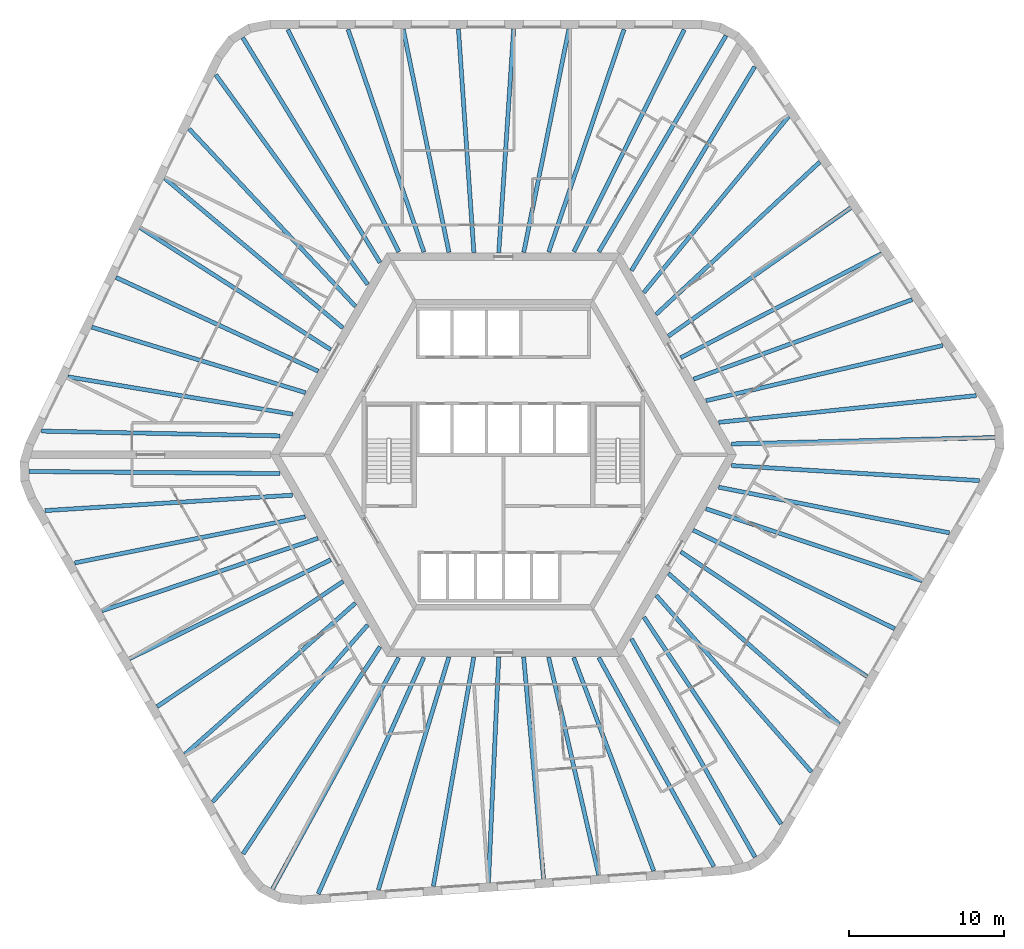
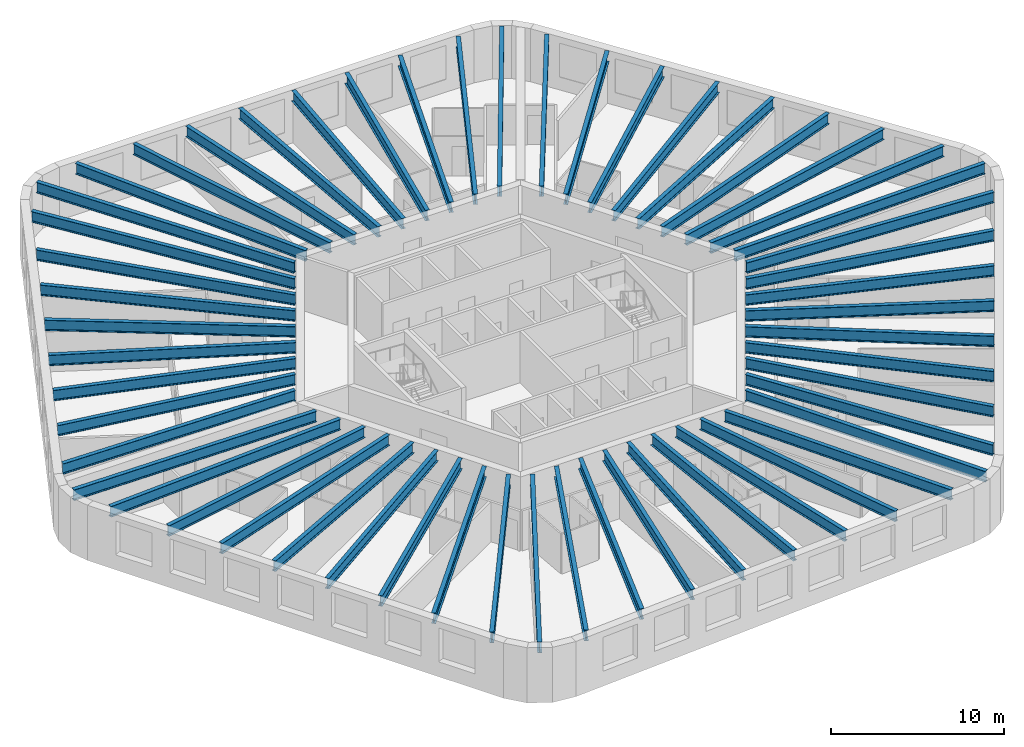
# One storey, part 1 of 10: 54 beams.
"""IFC4 building model written with IfcOpenShell, lengths in metres."""

from ifc_helpers import new_model, si_unit, direction, frame, origin, origin_2d, place, context, subcontext, project, spatial, i_section, extrude, material, material_profile, profile_set, type_object, element, save


model = new_model("IFC4")

# Units and contexts
model_context = context("Model", 3, precision=1e-05, world=origin(), true_north=direction((0.0, 1.0)))
body_context = subcontext(model_context, "Body", "Model", "MODEL_VIEW")
ifc_project = project(units=[si_unit("LENGTHUNIT", "METRE"), si_unit("AREAUNIT", "SQUARE_METRE"), si_unit("VOLUMEUNIT", "CUBIC_METRE"), si_unit("PLANEANGLEUNIT", "RADIAN"), si_unit("MASSUNIT", "GRAM", prefix="KILO")], contexts=[model_context])

# Site, building, storey
site_placement = place(None, origin())
site = spatial("IfcSite", under=ifc_project, at=site_placement, CompositionType="ELEMENT")
building_placement = place(site_placement, origin())
building = spatial("IfcBuilding", under=site, at=building_placement, Name="Tarnside Tower", CompositionType="ELEMENT")
storey_placement = place(building_placement, frame((0.0, 0.0, 156.60009765625)))
storey = spatial("IfcBuildingStorey", under=building, at=storey_placement, Name="L36", CompositionType="ELEMENT", Elevation=156.60009765625)

# Beams
ifc_material = material(Name="Steel S355", Category="steel")
ifc_material_profile_1 = material_profile(ifc_material, i_section(OverallWidth=0.26513671875, OverallDepth=0.75390625, WebThickness=0.0126953125, FlangeThickness=0.017578125, FilletRadius=0.0166015625, at=origin_2d()), Name="UB 762x267x147")
ifc_profile_set_1 = profile_set([ifc_material_profile_1], Name="Steel S355")
beam_type_1 = type_object("IfcBeamType", Name="Floor beam UB 762x267x147", PredefinedType="BEAM", material=ifc_profile_set_1)
beam_1_placement = place(storey_placement, frame((7.77001953125, 27.393310546875, 3.372802734375), z_axis=(-0.320362579778, -0.947295000239, 0.0), x_axis=(0.947295000239, -0.320362579778, 0.0)))
element("IfcBeam", 1, at=beam_1_placement, inside=storey, type_object=beam_type_1, Name="Floor beam F1.02", PredefinedType="BEAM", context=body_context, shape_type="SweptSolid", body=[
    extrude(i_section(OverallWidth=0.26513671875, OverallDepth=0.75390625, WebThickness=0.0126953125, FlangeThickness=0.017578125, FilletRadius=0.0166015625, at=origin_2d()), origin(), (0.0, 0.0, 1.0), 15.134033203125),
])
beam_2_placement = place(storey_placement, frame((4.218505859375, 27.410888671875, 3.372802734375), z_axis=(-0.19841777413, -0.980117537293, 0.0), x_axis=(0.980117537293, -0.19841777413, 0.0)))
element("IfcBeam", 2, at=beam_2_placement, inside=storey, type_object=beam_type_1, Name="Floor beam F1.03", PredefinedType="BEAM", context=body_context, shape_type="SweptSolid", body=[
    extrude(i_section(OverallWidth=0.26513671875, OverallDepth=0.75390625, WebThickness=0.0126953125, FlangeThickness=0.017578125, FilletRadius=0.0166015625, at=origin_2d()), origin(), (0.0, 0.0, 1.0), 14.6630859375),
])
beam_3_placement = place(storey_placement, frame((0.66259765625, 27.429931640625, 3.372802734375), z_axis=(-0.066554914868, -0.997782763585, 0.0), x_axis=(0.997782763585, -0.066554914868, 0.0)))
element("IfcBeam", 3, at=beam_3_placement, inside=storey, type_object=beam_type_1, Name="Floor beam F1.04", PredefinedType="BEAM", context=body_context, shape_type="SweptSolid", body=[
    extrude(i_section(OverallWidth=0.26513671875, OverallDepth=0.75390625, WebThickness=0.0126953125, FlangeThickness=0.017578125, FilletRadius=0.0166015625, at=origin_2d()), origin(), (0.0, 0.0, 1.0), 14.44189453125),
])
beam_4_placement = place(storey_placement, frame((-2.8974609375, 27.429931640625, 3.372802734375), z_axis=(0.068876921658, -0.997625164911, 0.0), x_axis=(0.997625164911, 0.068876921658, 0.0)))
element("IfcBeam", 4, at=beam_4_placement, inside=storey, type_object=beam_type_1, Name="Floor beam F1.05", PredefinedType="BEAM", context=body_context, shape_type="SweptSolid", body=[
    extrude(i_section(OverallWidth=0.26513671875, OverallDepth=0.75390625, WebThickness=0.0126953125, FlangeThickness=0.017578125, FilletRadius=0.0166015625, at=origin_2d()), origin(), (0.0, 0.0, 1.0), 14.4443359375),
])
beam_5_placement = place(storey_placement, frame((-6.45361328125, 27.410888671875, 3.372802734375), z_axis=(0.200623497398, -0.979668419564, 0.0), x_axis=(0.979668419564, 0.200623497398, 0.0)))
element("IfcBeam", 5, at=beam_5_placement, inside=storey, type_object=beam_type_1, Name="Floor beam F1.06", PredefinedType="BEAM", context=body_context, shape_type="SweptSolid", body=[
    extrude(i_section(OverallWidth=0.26513671875, OverallDepth=0.75390625, WebThickness=0.0126953125, FlangeThickness=0.017578125, FilletRadius=0.0166015625, at=origin_2d()), origin(), (0.0, 0.0, 1.0), 14.669921875),
])
beam_6_placement = place(storey_placement, frame((-10.0048828125, 27.393310546875, 3.372802734375), z_axis=(0.322343712034, -0.946622697442, 0.0), x_axis=(0.946622697442, 0.322343712034, 0.0)))
element("IfcBeam", 6, at=beam_6_placement, inside=storey, type_object=beam_type_1, Name="Floor beam F1.07", PredefinedType="BEAM", context=body_context, shape_type="SweptSolid", body=[
    extrude(i_section(OverallWidth=0.26513671875, OverallDepth=0.75390625, WebThickness=0.0126953125, FlangeThickness=0.017578125, FilletRadius=0.0166015625, at=origin_2d()), origin(), (0.0, 0.0, 1.0), 15.144775390625),
])
beam_7_placement = place(storey_placement, frame((-20.241455078125, 20.9892578125, 3.372802734375), z_axis=(0.683752330283, -0.729714156936, 0.0), x_axis=(0.729714156936, 0.683752330283, 0.0)))
element("IfcBeam", 7, at=beam_7_placement, inside=storey, type_object=beam_type_1, Name="Floor beam F2.02", PredefinedType="BEAM", context=body_context, shape_type="SweptSolid", body=[
    extrude(i_section(OverallWidth=0.26513671875, OverallDepth=0.75390625, WebThickness=0.0126953125, FlangeThickness=0.017578125, FilletRadius=0.0166015625, at=origin_2d()), origin(), (0.0, 0.0, 1.0), 15.6591796875),
])
beam_8_placement = place(storey_placement, frame((-21.81396484375, 17.80419921875, 3.372802734375), z_axis=(0.765948461073, -0.642901979294, 0.0), x_axis=(0.642901979294, 0.765948461073, 0.0)))
element("IfcBeam", 8, at=beam_8_placement, inside=storey, type_object=beam_type_1, Name="Floor beam F2.03", PredefinedType="BEAM", context=body_context, shape_type="SweptSolid", body=[
    extrude(i_section(OverallWidth=0.26513671875, OverallDepth=0.75390625, WebThickness=0.0126953125, FlangeThickness=0.017578125, FilletRadius=0.0166015625, at=origin_2d()), origin(), (0.0, 0.0, 1.0), 14.982177734375),
])
beam_9_placement = place(storey_placement, frame((-23.389892578125, 14.616455078125, 3.372802734375), z_axis=(0.842378275633, -0.538886667808, 0.0), x_axis=(0.538886667808, 0.842378275633, 0.0)))
element("IfcBeam", 9, at=beam_9_placement, inside=storey, type_object=beam_type_1, Name="Floor beam F2.04", PredefinedType="BEAM", context=body_context, shape_type="SweptSolid", body=[
    extrude(i_section(OverallWidth=0.26513671875, OverallDepth=0.75390625, WebThickness=0.0126953125, FlangeThickness=0.017578125, FilletRadius=0.0166015625, at=origin_2d()), origin(), (0.0, 0.0, 1.0), 14.5595703125),
])
beam_10_placement = place(storey_placement, frame((-24.9501953125, 11.416748046875, 3.372802734375), z_axis=(0.907310131748, -0.420462037321, 0.0), x_axis=(0.420462037321, 0.907310131748, 0.0)))
element("IfcBeam", 10, at=beam_10_placement, inside=storey, type_object=beam_type_1, Name="Floor beam F2.05", PredefinedType="BEAM", context=body_context, shape_type="SweptSolid", body=[
    extrude(i_section(OverallWidth=0.26513671875, OverallDepth=0.75390625, WebThickness=0.0126953125, FlangeThickness=0.017578125, FilletRadius=0.0166015625, at=origin_2d()), origin(), (0.0, 0.0, 1.0), 14.353515625),
])
beam_11_placement = place(storey_placement, frame((-26.510986328125, 8.2177734375, 3.372802734375), z_axis=(0.956073348261, -0.293127536654, 0.0), x_axis=(0.293127536654, 0.956073348261, 0.0)))
element("IfcBeam", 11, at=beam_11_placement, inside=storey, type_object=beam_type_1, Name="Floor beam F2.06", PredefinedType="BEAM", context=body_context, shape_type="SweptSolid", body=[
    extrude(i_section(OverallWidth=0.26513671875, OverallDepth=0.75390625, WebThickness=0.0126953125, FlangeThickness=0.017578125, FilletRadius=0.0166015625, at=origin_2d()), origin(), (0.0, 0.0, 1.0), 14.3955078125),
])
beam_12_placement = place(storey_placement, frame((-28.0517578125, 5.015869140625, 3.372802734375), z_axis=(0.986476498304, -0.163902770858, 0.0), x_axis=(0.163902770858, 0.986476498304, 0.0)))
element("IfcBeam", 12, at=beam_12_placement, inside=storey, type_object=beam_type_1, Name="Floor beam F2.07", PredefinedType="BEAM", context=body_context, shape_type="SweptSolid", body=[
    extrude(i_section(OverallWidth=0.26513671875, OverallDepth=0.75390625, WebThickness=0.0126953125, FlangeThickness=0.017578125, FilletRadius=0.0166015625, at=origin_2d()), origin(), (0.0, 0.0, 1.0), 14.680908203125),
])
beam_13_placement = place(storey_placement, frame((-29.73828125, 1.521484375, 3.372802734375), z_axis=(0.999800142641, -0.019991867701, 0.0), x_axis=(0.019991867701, 0.999800142641, 0.0)))
element("IfcBeam", 13, at=beam_13_placement, inside=storey, type_object=beam_type_1, Name="Floor beam F2.08", PredefinedType="BEAM", context=body_context, shape_type="SweptSolid", body=[
    extrude(i_section(OverallWidth=0.26513671875, OverallDepth=0.75390625, WebThickness=0.0126953125, FlangeThickness=0.017578125, FilletRadius=0.0166015625, at=origin_2d()), origin(), (0.0, 0.0, 1.0), 15.3505859375),
])
beam_14_placement = place(storey_placement, frame((-27.608154296875, -6.967529296875, 3.372802734375), z_axis=(0.980564540422, 0.196196794232, 0.0), x_axis=(-0.196196794232, 0.980564540422, 0.0)))
element("IfcBeam", 14, at=beam_14_placement, inside=storey, type_object=beam_type_1, Name="Floor beam F3.02", PredefinedType="BEAM", context=body_context, shape_type="SweptSolid", body=[
    extrude(i_section(OverallWidth=0.26513671875, OverallDepth=0.75390625, WebThickness=0.0126953125, FlangeThickness=0.017578125, FilletRadius=0.0166015625, at=origin_2d()), origin(), (0.0, 0.0, 1.0), 15.134033203125),
])
beam_15_placement = place(storey_placement, frame((-25.84765625, -10.052001953125, 3.372802734375), z_axis=(0.948011835322, 0.31823507049, 0.0), x_axis=(-0.31823507049, 0.948011835322, 0.0)))
element("IfcBeam", 15, at=beam_15_placement, inside=storey, type_object=beam_type_1, Name="Floor beam F3.03", PredefinedType="BEAM", context=body_context, shape_type="SweptSolid", body=[
    extrude(i_section(OverallWidth=0.26513671875, OverallDepth=0.75390625, WebThickness=0.0126953125, FlangeThickness=0.017578125, FilletRadius=0.0166015625, at=origin_2d()), origin(), (0.0, 0.0, 1.0), 14.662841796875),
])
beam_16_placement = place(storey_placement, frame((-24.086181640625, -13.141357421875, 3.372802734375), z_axis=(0.897375974806, 0.441266767206, 0.0), x_axis=(-0.441266767206, 0.897375974806, 0.0)))
element("IfcBeam", 16, at=beam_16_placement, inside=storey, type_object=beam_type_1, Name="Floor beam F3.04", PredefinedType="BEAM", context=body_context, shape_type="SweptSolid", body=[
    extrude(i_section(OverallWidth=0.26513671875, OverallDepth=0.75390625, WebThickness=0.0126953125, FlangeThickness=0.017578125, FilletRadius=0.0166015625, at=origin_2d()), origin(), (0.0, 0.0, 1.0), 14.442138671875),
])
beam_17_placement = place(storey_placement, frame((-22.306396484375, -16.224365234375, 3.372802734375), z_axis=(0.829532486243, 0.558458462437, 0.0), x_axis=(-0.558458462437, 0.829532486243, 0.0)))
element("IfcBeam", 17, at=beam_17_placement, inside=storey, type_object=beam_type_1, Name="Floor beam F3.05", PredefinedType="BEAM", context=body_context, shape_type="SweptSolid", body=[
    extrude(i_section(OverallWidth=0.26513671875, OverallDepth=0.75390625, WebThickness=0.0126953125, FlangeThickness=0.017578125, FilletRadius=0.0166015625, at=origin_2d()), origin(), (0.0, 0.0, 1.0), 14.444580078125),
])
beam_18_placement = place(storey_placement, frame((-20.51171875, -19.294189453125, 3.372802734375), z_axis=(0.74811408094, 0.663570133369, 0.0), x_axis=(-0.663570133369, 0.74811408094, 0.0)))
element("IfcBeam", 18, at=beam_18_placement, inside=storey, type_object=beam_type_1, Name="Floor beam F3.06", PredefinedType="BEAM", context=body_context, shape_type="SweptSolid", body=[
    extrude(i_section(OverallWidth=0.26513671875, OverallDepth=0.75390625, WebThickness=0.0126953125, FlangeThickness=0.017578125, FilletRadius=0.0166015625, at=origin_2d()), origin(), (0.0, 0.0, 1.0), 14.669677734375),
])
beam_19_placement = place(storey_placement, frame((-18.720703125, -22.361083984375, 3.372802734375), z_axis=(0.658621010302, 0.752474826681, 0.0), x_axis=(-0.752474826681, 0.658621010302, 0.0)))
element("IfcBeam", 19, at=beam_19_placement, inside=storey, type_object=beam_type_1, Name="Floor beam F3.07", PredefinedType="BEAM", context=body_context, shape_type="SweptSolid", body=[
    extrude(i_section(OverallWidth=0.26513671875, OverallDepth=0.75390625, WebThickness=0.0126953125, FlangeThickness=0.017578125, FilletRadius=0.0166015625, at=origin_2d()), origin(), (0.0, 0.0, 1.0), 15.144775390625),
])
beam_20_placement = place(storey_placement, frame((-8.056396484375, -28.024169921875, 3.372802734375), z_axis=(0.290070138838, 0.957005388989, 0.0), x_axis=(-0.957005388989, 0.290070138838, 0.0)))
element("IfcBeam", 20, at=beam_20_placement, inside=storey, type_object=beam_type_1, Name="Floor beam F4.02", PredefinedType="BEAM", context=body_context, shape_type="SweptSolid", body=[
    extrude(i_section(OverallWidth=0.26513671875, OverallDepth=0.75390625, WebThickness=0.0126953125, FlangeThickness=0.017578125, FilletRadius=0.0166015625, at=origin_2d()), origin(), (0.0, 0.0, 1.0), 15.6591796875),
])
beam_21_placement = place(storey_placement, frame((-4.511962890625, -27.793701171875, 3.372802734375), z_axis=(0.173788122681, 0.984783066678, 0.0), x_axis=(-0.984783066678, 0.173788122681, 0.0)))
element("IfcBeam", 21, at=beam_21_placement, inside=storey, type_object=beam_type_1, Name="Floor beam F4.03", PredefinedType="BEAM", context=body_context, shape_type="SweptSolid", body=[
    extrude(i_section(OverallWidth=0.26513671875, OverallDepth=0.75390625, WebThickness=0.0126953125, FlangeThickness=0.017578125, FilletRadius=0.0166015625, at=origin_2d()), origin(), (0.0, 0.0, 1.0), 14.982421875),
])
beam_22_placement = place(storey_placement, frame((-0.96337890625, -27.564453125, 3.372802734375), z_axis=(0.045509585226, 0.998963902077, 0.0), x_axis=(-0.998963902077, 0.045509585226, 0.0)))
element("IfcBeam", 22, at=beam_22_placement, inside=storey, type_object=beam_type_1, Name="Floor beam F4.04", PredefinedType="BEAM", context=body_context, shape_type="SweptSolid", body=[
    extrude(i_section(OverallWidth=0.26513671875, OverallDepth=0.75390625, WebThickness=0.0126953125, FlangeThickness=0.017578125, FilletRadius=0.0166015625, at=origin_2d()), origin(), (0.0, 0.0, 1.0), 14.5595703125),
])
beam_23_placement = place(storey_placement, frame((2.587890625, -27.31591796875, 3.372802734375), z_axis=(-0.089518916897, 0.995985122137, 0.0), x_axis=(-0.995985122137, -0.089518916897, 0.0)))
element("IfcBeam", 23, at=beam_23_placement, inside=storey, type_object=beam_type_1, Name="Floor beam F4.05", PredefinedType="BEAM", context=body_context, shape_type="SweptSolid", body=[
    extrude(i_section(OverallWidth=0.26513671875, OverallDepth=0.75390625, WebThickness=0.0126953125, FlangeThickness=0.017578125, FilletRadius=0.0166015625, at=origin_2d()), origin(), (0.0, 0.0, 1.0), 14.353515625),
])
beam_24_placement = place(storey_placement, frame((6.138671875, -27.068115234375, 3.372802734375), z_axis=(-0.224188122435, 0.974545886944, 0.0), x_axis=(-0.974545886944, -0.224188122435, 0.0)))
element("IfcBeam", 24, at=beam_24_placement, inside=storey, type_object=beam_type_1, Name="Floor beam F4.06", PredefinedType="BEAM", context=body_context, shape_type="SweptSolid", body=[
    extrude(i_section(OverallWidth=0.26513671875, OverallDepth=0.75390625, WebThickness=0.0126953125, FlangeThickness=0.017578125, FilletRadius=0.0166015625, at=origin_2d()), origin(), (0.0, 0.0, 1.0), 14.3955078125),
])
beam_25_placement = place(storey_placement, frame((9.681884765625, -26.801513671875, 3.372802734375), z_axis=(-0.351271055087, 0.936273809234, 0.0), x_axis=(-0.936273809234, -0.351271055087, 0.0)))
element("IfcBeam", 25, at=beam_25_placement, inside=storey, type_object=beam_type_1, Name="Floor beam F4.07", PredefinedType="BEAM", context=body_context, shape_type="SweptSolid", body=[
    extrude(i_section(OverallWidth=0.26513671875, OverallDepth=0.75390625, WebThickness=0.0126953125, FlangeThickness=0.017578125, FilletRadius=0.0166015625, at=origin_2d()), origin(), (0.0, 0.0, 1.0), 14.680908203125),
])
beam_26_placement = place(storey_placement, frame((13.551513671875, -26.514892578125, 3.372802734375), z_axis=(-0.482584088089, 0.875849643445, 0.0), x_axis=(-0.875849643445, -0.482584088089, 0.0)))
element("IfcBeam", 26, at=beam_26_placement, inside=storey, type_object=beam_type_1, Name="Floor beam F4.08", PredefinedType="BEAM", context=body_context, shape_type="SweptSolid", body=[
    extrude(i_section(OverallWidth=0.26513671875, OverallDepth=0.75390625, WebThickness=0.0126953125, FlangeThickness=0.017578125, FilletRadius=0.0166015625, at=origin_2d()), origin(), (0.0, 0.0, 1.0), 15.3505859375),
])
beam_27_placement = place(storey_placement, frame((19.838134765625, -20.425537109375, 3.372802734375), z_axis=(-0.660201214512, 0.751088780609, 0.0), x_axis=(-0.751088780609, -0.660201214512, 0.0)))
element("IfcBeam", 27, at=beam_27_placement, inside=storey, type_object=beam_type_1, Name="Floor beam F5.02", PredefinedType="BEAM", context=body_context, shape_type="SweptSolid", body=[
    extrude(i_section(OverallWidth=0.26513671875, OverallDepth=0.75390625, WebThickness=0.0126953125, FlangeThickness=0.017578125, FilletRadius=0.0166015625, at=origin_2d()), origin(), (0.0, 0.0, 1.0), 15.134033203125),
])
beam_28_placement = place(storey_placement, frame((21.629150390625, -17.358642578125, 3.372802734375), z_axis=(-0.749601662028, 0.661889226597, 0.0), x_axis=(-0.661889226597, -0.749601662028, 0.0)))
element("IfcBeam", 28, at=beam_28_placement, inside=storey, type_object=beam_type_1, Name="Floor beam F5.03", PredefinedType="BEAM", context=body_context, shape_type="SweptSolid", body=[
    extrude(i_section(OverallWidth=0.26513671875, OverallDepth=0.75390625, WebThickness=0.0126953125, FlangeThickness=0.017578125, FilletRadius=0.0166015625, at=origin_2d()), origin(), (0.0, 0.0, 1.0), 14.6630859375),
])
beam_29_placement = place(storey_placement, frame((23.423828125, -14.288818359375, 3.372802734375), z_axis=(-0.830825943553, 0.556532345439, 0.0), x_axis=(-0.556532345439, -0.830825943553, 0.0)))
element("IfcBeam", 29, at=beam_29_placement, inside=storey, type_object=beam_type_1, Name="Floor beam F5.04", PredefinedType="BEAM", context=body_context, shape_type="SweptSolid", body=[
    extrude(i_section(OverallWidth=0.26513671875, OverallDepth=0.75390625, WebThickness=0.0126953125, FlangeThickness=0.017578125, FilletRadius=0.0166015625, at=origin_2d()), origin(), (0.0, 0.0, 1.0), 14.4423828125),
])
beam_30_placement = place(storey_placement, frame((25.203857421875, -11.205810546875, 3.372802734375), z_axis=(-0.898407034897, 0.43916375038, 0.0), x_axis=(-0.43916375038, -0.898407034897, 0.0)))
element("IfcBeam", 30, at=beam_30_placement, inside=storey, type_object=beam_type_1, Name="Floor beam F5.05", PredefinedType="BEAM", context=body_context, shape_type="SweptSolid", body=[
    extrude(i_section(OverallWidth=0.26513671875, OverallDepth=0.75390625, WebThickness=0.0126953125, FlangeThickness=0.017578125, FilletRadius=0.0166015625, at=origin_2d()), origin(), (0.0, 0.0, 1.0), 14.444580078125),
])
beam_31_placement = place(storey_placement, frame((26.965087890625, -8.116455078125, 3.372802734375), z_axis=(-0.948728223501, 0.31609295774, 0.0), x_axis=(-0.31609295774, -0.948728223501, 0.0)))
element("IfcBeam", 31, at=beam_31_placement, inside=storey, type_object=beam_type_1, Name="Floor beam F5.06", PredefinedType="BEAM", context=body_context, shape_type="SweptSolid", body=[
    extrude(i_section(OverallWidth=0.26513671875, OverallDepth=0.75390625, WebThickness=0.0126953125, FlangeThickness=0.017578125, FilletRadius=0.0166015625, at=origin_2d()), origin(), (0.0, 0.0, 1.0), 14.669677734375),
])
beam_32_placement = place(storey_placement, frame((28.7255859375, -5.031982421875, 3.372802734375), z_axis=(-0.980974250646, 0.194137888034, 0.0), x_axis=(-0.194137888034, -0.980974250646, 0.0)))
element("IfcBeam", 32, at=beam_32_placement, inside=storey, type_object=beam_type_1, Name="Floor beam F5.07", PredefinedType="BEAM", context=body_context, shape_type="SweptSolid", body=[
    extrude(i_section(OverallWidth=0.26513671875, OverallDepth=0.75390625, WebThickness=0.0126953125, FlangeThickness=0.017578125, FilletRadius=0.0166015625, at=origin_2d()), origin(), (0.0, 0.0, 1.0), 15.144775390625),
])
beam_33_placement = place(storey_placement, frame((28.2978515625, 7.034912109375, 3.372802734375), z_axis=(-0.973828212928, -0.227285309042, 0.0), x_axis=(0.227285309042, -0.973828212928, 0.0)))
element("IfcBeam", 33, at=beam_33_placement, inside=storey, type_object=beam_type_1, Name="Floor beam F6.02", PredefinedType="BEAM", context=body_context, shape_type="SweptSolid", body=[
    extrude(i_section(OverallWidth=0.26513671875, OverallDepth=0.75390625, WebThickness=0.0126953125, FlangeThickness=0.017578125, FilletRadius=0.0166015625, at=origin_2d()), origin(), (0.0, 0.0, 1.0), 15.6591796875),
])
beam_34_placement = place(storey_placement, frame((26.325927734375, 9.989501953125, 3.372802734375), z_axis=(-0.939738697004, -0.341893523415, 0.0), x_axis=(0.341893523415, -0.939738697004, 0.0)))
element("IfcBeam", 34, at=beam_34_placement, inside=storey, type_object=beam_type_1, Name="Floor beam F6.03", PredefinedType="BEAM", context=body_context, shape_type="SweptSolid", body=[
    extrude(i_section(OverallWidth=0.26513671875, OverallDepth=0.75390625, WebThickness=0.0126953125, FlangeThickness=0.017578125, FilletRadius=0.0166015625, at=origin_2d()), origin(), (0.0, 0.0, 1.0), 14.982177734375),
])
beam_35_placement = place(storey_placement, frame((24.353271484375, 12.947998046875, 3.372802734375), z_axis=(-0.887881646639, -0.460071930856, 0.0), x_axis=(0.460071930856, -0.887881646639, 0.0)))
element("IfcBeam", 35, at=beam_35_placement, inside=storey, type_object=beam_type_1, Name="Floor beam F6.04", PredefinedType="BEAM", context=body_context, shape_type="SweptSolid", body=[
    extrude(i_section(OverallWidth=0.26513671875, OverallDepth=0.75390625, WebThickness=0.0126953125, FlangeThickness=0.017578125, FilletRadius=0.0166015625, at=origin_2d()), origin(), (0.0, 0.0, 1.0), 14.5595703125),
])
beam_36_placement = place(storey_placement, frame((22.3623046875, 15.899169921875, 3.372802734375), z_axis=(-0.817791001708, -0.575515314762, 0.0), x_axis=(0.575515314762, -0.817791001708, 0.0)))
element("IfcBeam", 36, at=beam_36_placement, inside=storey, type_object=beam_type_1, Name="Floor beam F6.05", PredefinedType="BEAM", context=body_context, shape_type="SweptSolid", body=[
    extrude(i_section(OverallWidth=0.26513671875, OverallDepth=0.75390625, WebThickness=0.0126953125, FlangeThickness=0.017578125, FilletRadius=0.0166015625, at=origin_2d()), origin(), (0.0, 0.0, 1.0), 14.353759765625),
])
beam_37_placement = place(storey_placement, frame((20.372314453125, 18.850341796875, 3.372802734375), z_axis=(-0.731892224456, -0.681420407517, 0.0), x_axis=(0.681420407517, -0.731892224456, 0.0)))
element("IfcBeam", 37, at=beam_37_placement, inside=storey, type_object=beam_type_1, Name="Floor beam F6.06", PredefinedType="BEAM", context=body_context, shape_type="SweptSolid", body=[
    extrude(i_section(OverallWidth=0.26513671875, OverallDepth=0.75390625, WebThickness=0.0126953125, FlangeThickness=0.017578125, FilletRadius=0.0166015625, at=origin_2d()), origin(), (0.0, 0.0, 1.0), 14.3955078125),
])
beam_38_placement = place(storey_placement, frame((18.369873046875, 21.78564453125, 3.372802734375), z_axis=(-0.635191827457, -0.772354414975, 0.0), x_axis=(0.772354414975, -0.635191827457, 0.0)))
element("IfcBeam", 38, at=beam_38_placement, inside=storey, type_object=beam_type_1, Name="Floor beam F6.07", PredefinedType="BEAM", context=body_context, shape_type="SweptSolid", body=[
    extrude(i_section(OverallWidth=0.26513671875, OverallDepth=0.75390625, WebThickness=0.0126953125, FlangeThickness=0.017578125, FilletRadius=0.0166015625, at=origin_2d()), origin(), (0.0, 0.0, 1.0), 14.680908203125),
])
beam_39_placement = place(storey_placement, frame((16.186767578125, 24.993408203125, 3.372802734375), z_axis=(-0.517208605106, -0.855859368591, 0.0), x_axis=(0.855859368591, -0.517208605106, 0.0)))
element("IfcBeam", 39, at=beam_39_placement, inside=storey, type_object=beam_type_1, Name="Floor beam F6.08", PredefinedType="BEAM", context=body_context, shape_type="SweptSolid", body=[
    extrude(i_section(OverallWidth=0.26513671875, OverallDepth=0.75390625, WebThickness=0.0126953125, FlangeThickness=0.017578125, FilletRadius=0.0166015625, at=origin_2d()), origin(), (0.0, 0.0, 1.0), 15.3505859375),
])
ifc_material_profile_2 = material_profile(ifc_material, i_section(OverallWidth=0.2666015625, OverallDepth=0.76220703125, WebThickness=0.014404296875, FlangeThickness=0.021484375, FilletRadius=0.0166015625, at=origin_2d()), Name="UB 762x267x173")
ifc_profile_set_2 = profile_set([ifc_material_profile_2], Name="Steel S355")
beam_type_2 = type_object("IfcBeamType", Name="Floor beam UB 762x267x173", PredefinedType="BEAM", material=ifc_profile_set_2)
beam_40_placement = place(storey_placement, frame((11.6494140625, 27.37841796875, 3.368896484375), z_axis=(-0.445042310328, -0.895509543231, 0.0), x_axis=(0.895509543231, -0.445042310328, 0.0)))
element("IfcBeam", 40, at=beam_40_placement, inside=storey, type_object=beam_type_2, Name="Floor beam F1.01", PredefinedType="BEAM", context=body_context, shape_type="SweptSolid", body=[
    extrude(i_section(OverallWidth=0.2666015625, OverallDepth=0.76220703125, WebThickness=0.014404296875, FlangeThickness=0.021484375, FilletRadius=0.0166015625, at=origin_2d()), origin(), (0.0, 0.0, 1.0), 15.976318359375),
])
beam_41_placement = place(storey_placement, frame((-13.884521484375, 27.37841796875, 3.368896484375), z_axis=(0.44673108957, -0.894668281326, 0.0), x_axis=(0.894668281326, 0.44673108957, 0.0)))
element("IfcBeam", 41, at=beam_41_placement, inside=storey, type_object=beam_type_2, Name="Floor beam F1.08", PredefinedType="BEAM", context=body_context, shape_type="SweptSolid", body=[
    extrude(i_section(OverallWidth=0.2666015625, OverallDepth=0.76220703125, WebThickness=0.014404296875, FlangeThickness=0.021484375, FilletRadius=0.0166015625, at=origin_2d()), origin(), (0.0, 0.0, 1.0), 15.9912109375),
])
beam_42_placement = place(storey_placement, frame((-16.79345703125, 26.86962890625, 3.368896484375), z_axis=(0.520940467881, -0.853593011291, 0.0), x_axis=(0.853593011291, 0.520940467881, 0.0)))
element("IfcBeam", 42, at=beam_42_placement, inside=storey, type_object=beam_type_2, Name="Floor beam C1", PredefinedType="BEAM", context=body_context, shape_type="SweptSolid", body=[
    extrude(i_section(OverallWidth=0.2666015625, OverallDepth=0.76220703125, WebThickness=0.014404296875, FlangeThickness=0.021484375, FilletRadius=0.0166015625, at=origin_2d()), origin(), (0.0, 0.0, 1.0), 16.980712890625),
])
beam_43_placement = place(storey_placement, frame((-18.52685546875, 24.471435546875, 3.368896484375), z_axis=(0.586791943415, -0.80973774467, 0.0), x_axis=(0.80973774467, 0.586791943415, 0.0)))
element("IfcBeam", 43, at=beam_43_placement, inside=storey, type_object=beam_type_2, Name="Floor beam F2.01", PredefinedType="BEAM", context=body_context, shape_type="SweptSolid", body=[
    extrude(i_section(OverallWidth=0.2666015625, OverallDepth=0.76220703125, WebThickness=0.014404296875, FlangeThickness=0.021484375, FilletRadius=0.0166015625, at=origin_2d()), origin(), (0.0, 0.0, 1.0), 16.67578125),
])
beam_44_placement = place(storey_placement, frame((-30.543212890625, -1.079345703125, 3.368896484375), z_axis=(0.999966072652, -0.008237326324, 0.0), x_axis=(0.008237326324, 0.999966072652, 0.0)))
element("IfcBeam", 44, at=beam_44_placement, inside=storey, type_object=beam_type_2, Name="Floor beam C2", PredefinedType="BEAM", context=body_context, shape_type="SweptSolid", body=[
    extrude(i_section(OverallWidth=0.2666015625, OverallDepth=0.76220703125, WebThickness=0.014404296875, FlangeThickness=0.021484375, FilletRadius=0.0166015625, at=origin_2d()), origin(), (0.0, 0.0, 1.0), 16.15283203125),
])
beam_45_placement = place(storey_placement, frame((-29.534912109375, -3.6005859375, 3.368896484375), z_axis=(0.99805531279, 0.062334521832, 0.0), x_axis=(-0.062334521832, 0.99805531279, 0.0)))
element("IfcBeam", 45, at=beam_45_placement, inside=storey, type_object=beam_type_2, Name="Floor beam F3.01", PredefinedType="BEAM", context=body_context, shape_type="SweptSolid", body=[
    extrude(i_section(OverallWidth=0.2666015625, OverallDepth=0.76220703125, WebThickness=0.014404296875, FlangeThickness=0.021484375, FilletRadius=0.0166015625, at=origin_2d()), origin(), (0.0, 0.0, 1.0), 15.975830078125),
])
beam_46_placement = place(storey_placement, frame((-16.768310546875, -25.71337890625, 3.368896484375), z_axis=(0.551447600123, 0.834209532623, 0.0), x_axis=(-0.834209532623, 0.551447600123, 0.0)))
element("IfcBeam", 46, at=beam_46_placement, inside=storey, type_object=beam_type_2, Name="Floor beam F3.08", PredefinedType="BEAM", context=body_context, shape_type="SweptSolid", body=[
    extrude(i_section(OverallWidth=0.2666015625, OverallDepth=0.76220703125, WebThickness=0.014404296875, FlangeThickness=0.021484375, FilletRadius=0.0166015625, at=origin_2d()), origin(), (0.0, 0.0, 1.0), 15.9912109375),
])
beam_47_placement = place(storey_placement, frame((-14.873046875, -27.978515625, 3.368896484375), z_axis=(0.478767512404, 0.877941723047, 0.0), x_axis=(-0.877941723047, 0.478767512404, 0.0)))
element("IfcBeam", 47, at=beam_47_placement, inside=storey, type_object=beam_type_2, Name="Floor beam C3", PredefinedType="BEAM", context=body_context, shape_type="SweptSolid", body=[
    extrude(i_section(OverallWidth=0.2666015625, OverallDepth=0.76220703125, WebThickness=0.014404296875, FlangeThickness=0.021484375, FilletRadius=0.0166015625, at=origin_2d()), origin(), (0.0, 0.0, 1.0), 16.98095703125),
])
beam_48_placement = place(storey_placement, frame((-11.929443359375, -28.280517578125, 3.368896484375), z_axis=(0.407852035629, 0.913048036542, 0.0), x_axis=(-0.913048036542, 0.407852035629, 0.0)))
element("IfcBeam", 48, at=beam_48_placement, inside=storey, type_object=beam_type_2, Name="Floor beam F4.01", PredefinedType="BEAM", context=body_context, shape_type="SweptSolid", body=[
    extrude(i_section(OverallWidth=0.2666015625, OverallDepth=0.76220703125, WebThickness=0.014404296875, FlangeThickness=0.021484375, FilletRadius=0.0166015625, at=origin_2d()), origin(), (0.0, 0.0, 1.0), 16.67578125),
])
beam_49_placement = place(storey_placement, frame((16.206298828125, -25.91162109375, 3.368896484375), z_axis=(-0.492847437034, 0.870115741616, 0.0), x_axis=(-0.870115741616, -0.492847437034, 0.0)))
element("IfcBeam", 49, at=beam_49_placement, inside=storey, type_object=beam_type_2, Name="Floor beam C4", PredefinedType="BEAM", context=body_context, shape_type="SweptSolid", body=[
    extrude(i_section(OverallWidth=0.2666015625, OverallDepth=0.76220703125, WebThickness=0.014404296875, FlangeThickness=0.021484375, FilletRadius=0.0166015625, at=origin_2d()), origin(), (0.0, 0.0, 1.0), 16.15283203125),
])
beam_50_placement = place(storey_placement, frame((17.8857421875, -23.77783203125, 3.368896484375), z_axis=(-0.553013371197, 0.833172377889, 0.0), x_axis=(-0.833172377889, -0.553013371197, 0.0)))
element("IfcBeam", 50, at=beam_50_placement, inside=storey, type_object=beam_type_2, Name="Floor beam F5.01", PredefinedType="BEAM", context=body_context, shape_type="SweptSolid", body=[
    extrude(i_section(OverallWidth=0.2666015625, OverallDepth=0.76220703125, WebThickness=0.014404296875, FlangeThickness=0.021484375, FilletRadius=0.0166015625, at=origin_2d()), origin(), (0.0, 0.0, 1.0), 15.97607421875),
])
beam_51_placement = place(storey_placement, frame((30.652587890625, -1.6650390625, 3.368896484375), z_axis=(-0.998170730858, 0.060458184371, 0.0), x_axis=(-0.060458184371, -0.998170730858, 0.0)))
element("IfcBeam", 51, at=beam_51_placement, inside=storey, type_object=beam_type_2, Name="Floor beam F5.08", PredefinedType="BEAM", context=body_context, shape_type="SweptSolid", body=[
    extrude(i_section(OverallWidth=0.2666015625, OverallDepth=0.76220703125, WebThickness=0.014404296875, FlangeThickness=0.021484375, FilletRadius=0.0166015625, at=origin_2d()), origin(), (0.0, 0.0, 1.0), 15.9912109375),
])
beam_52_placement = place(storey_placement, frame((31.66650390625, 1.108642578125, 3.368896484375), z_axis=(-0.999703706976, -0.024341287118, 0.0), x_axis=(0.024341287118, -0.999703706976, 0.0)))
element("IfcBeam", 52, at=beam_52_placement, inside=storey, type_object=beam_type_2, Name="Floor beam C5", PredefinedType="BEAM", context=body_context, shape_type="SweptSolid", body=[
    extrude(i_section(OverallWidth=0.2666015625, OverallDepth=0.76220703125, WebThickness=0.014404296875, FlangeThickness=0.021484375, FilletRadius=0.0166015625, at=origin_2d()), origin(), (0.0, 0.0, 1.0), 16.980712890625),
])
beam_53_placement = place(storey_placement, frame((30.456298828125, 3.80908203125, 3.368896484375), z_axis=(-0.994648352349, -0.103318222829, 0.0), x_axis=(0.103318222829, -0.994648352349, 0.0)))
element("IfcBeam", 53, at=beam_53_placement, inside=storey, type_object=beam_type_2, Name="Floor beam F6.01", PredefinedType="BEAM", context=body_context, shape_type="SweptSolid", body=[
    extrude(i_section(OverallWidth=0.2666015625, OverallDepth=0.76220703125, WebThickness=0.014404296875, FlangeThickness=0.021484375, FilletRadius=0.0166015625, at=origin_2d()), origin(), (0.0, 0.0, 1.0), 16.67578125),
])
beam_54_placement = place(storey_placement, frame((14.3369140625, 26.990966796875, 3.368896484375), z_axis=(-0.507115238706, -0.861878259775, 0.0), x_axis=(0.861878259775, -0.507115238706, 0.0)))
element("IfcBeam", 54, at=beam_54_placement, inside=storey, type_object=beam_type_2, Name="Floor beam C6", PredefinedType="BEAM", context=body_context, shape_type="SweptSolid", body=[
    extrude(i_section(OverallWidth=0.2666015625, OverallDepth=0.76220703125, WebThickness=0.014404296875, FlangeThickness=0.021484375, FilletRadius=0.0166015625, at=origin_2d()), origin(), (0.0, 0.0, 1.0), 16.15283203125),
])

save(model, "model.ifc")
